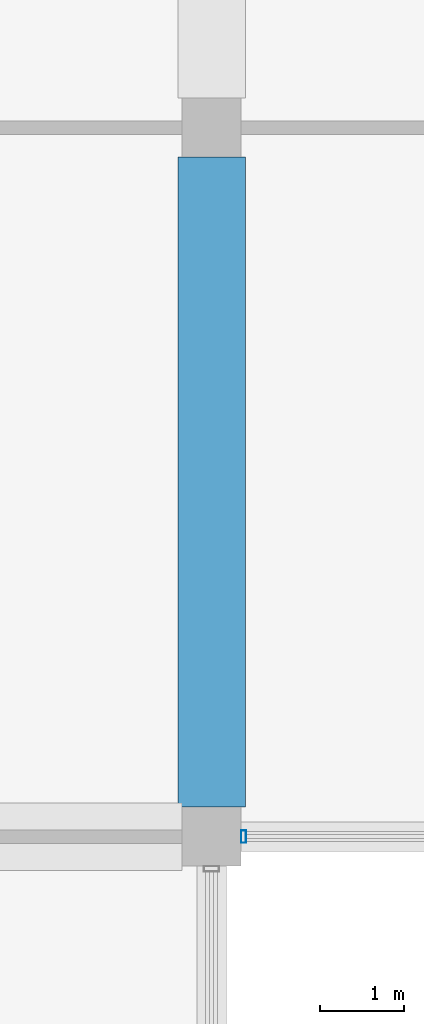
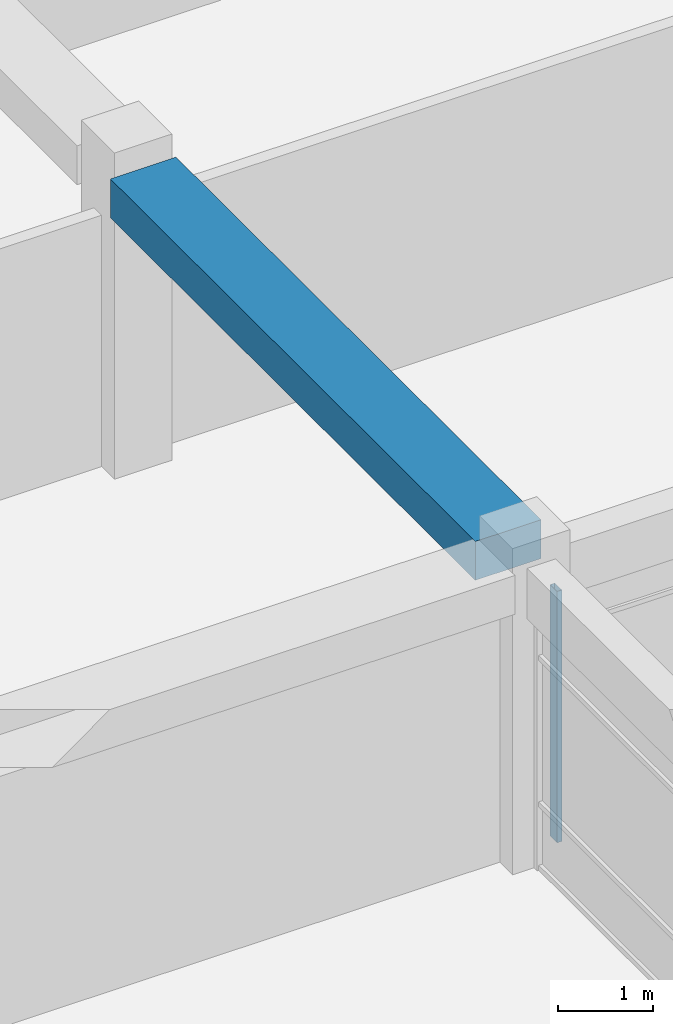
# One storey, part 11 of 53: 1 beam, 1 member, 1 element without a shape of its own.
"""IFC4 building model written with IfcOpenShell, lengths in metres."""

import ifcopenshell
import ifcopenshell.guid

model = None  # the IFC model being written
_history = None  # IfcOwnerHistory: only IFC2X3 demands one
_inside = {}  # id of a spatial element -> (the spatial element, [elements in it])
_under = {}  # id of a project, library or spatial element -> (it, [spatial elements below it])
_declared = {}  # id of a project -> (the project, [libraries it declares])
_typed = {}  # id of a type object -> (the type object, [elements of that type])
_made_of = {}  # id of a material, layer set ... -> (it, [elements and type objects made of it])


def new_model(schema):
    """Start an empty IFC model of exactly this schema.

    Asked for "IFC4X3", IfcOpenShell would pick the latest addendum, in which some entities
    have other attributes; the version numbers below select the first issue.
    IFC2X3 requires an IfcOwnerHistory on every rooted entity: one is made here for all.
    """
    global model, _history
    if schema == "IFC4X3":
        model = ifcopenshell.file(schema_version=(4, 3, 0, 0))
    else:
        model = ifcopenshell.file(schema=schema)
    _inside.clear()
    _under.clear()
    _declared.clear()
    _typed.clear()
    _made_of.clear()
    _history = None
    if model.schema == "IFC2X3":
        org = make("IfcOrganization", Name="unknown")
        user = make(
            "IfcPersonAndOrganization",
            ThePerson=make("IfcPerson", FamilyName="unknown"),
            TheOrganization=org,
        )
        app = make(
            "IfcApplication",
            ApplicationDeveloper=org,
            Version="unknown",
            ApplicationFullName="unknown",
            ApplicationIdentifier="unknown",
        )
        _history = make(
            "IfcOwnerHistory",
            OwningUser=user,
            OwningApplication=app,
            ChangeAction="ADDED",
            CreationDate=0,
        )
    return model


def make(cls, **values):
    """One entity of the class cls with the attributes given. An attribute that is None is left unset."""
    return model.create_entity(
        cls, **{name: value for name, value in values.items() if value is not None}
    )


def rooted(cls, **values):
    """An entity with a GlobalId (a new one), such as an element, a storey or a relation."""
    return make(cls, GlobalId=ifcopenshell.guid.new(), OwnerHistory=_history, **values)


def si_unit(unit_type, name, prefix=None):
    """IfcSIUnit, for example si_unit("LENGTHUNIT", "METRE", prefix="MILLI")."""
    return make("IfcSIUnit", UnitType=unit_type, Prefix=prefix, Name=name)


def assignment(units):
    """IfcUnitAssignment: the units of a project."""
    return None if units is None else make("IfcUnitAssignment", Units=units)


def point(xyz):
    """IfcCartesianPoint."""
    return None if xyz is None else make("IfcCartesianPoint", Coordinates=xyz)


def direction(xyz):
    """IfcDirection."""
    return None if xyz is None else make("IfcDirection", DirectionRatios=xyz)


def frame(location, z_axis=None, x_axis=None):
    """IfcAxis2Placement3D, a coordinate frame: its origin and axes. An axis left out is left unset."""
    return make(
        "IfcAxis2Placement3D",
        Location=point(location),
        Axis=direction(z_axis),
        RefDirection=direction(x_axis),
    )


def frame_2d(location, x_axis=None):
    """IfcAxis2Placement2D, a coordinate frame in the plane: its origin and x axis."""
    return make(
        "IfcAxis2Placement2D", Location=point(location), RefDirection=direction(x_axis)
    )


def origin():
    """The frame at (0, 0, 0) with its axes left unset."""
    return frame((0.0, 0.0, 0.0))


def origin_2d():
    """The frame at (0, 0) in the plane with its x axis left unset."""
    return frame_2d((0.0, 0.0))


def place(relative_to, where):
    """IfcLocalPlacement: puts the frame where relative to a parent placement (None: the world)."""
    return make(
        "IfcLocalPlacement", PlacementRelTo=relative_to, RelativePlacement=where
    )


def context(
    kind, dimensions, precision=None, world=None, true_north=None, identifier=None
):
    """IfcGeometricRepresentationContext, for example the 3D "Model" context."""
    return make(
        "IfcGeometricRepresentationContext",
        ContextIdentifier=identifier,
        ContextType=kind,
        CoordinateSpaceDimension=dimensions,
        Precision=precision,
        WorldCoordinateSystem=world,
        TrueNorth=true_north,
    )


def subcontext(parent, identifier, kind, view, scale=None):
    """IfcGeometricRepresentationSubContext, for example "Body" below "Model"."""
    return make(
        "IfcGeometricRepresentationSubContext",
        ContextIdentifier=identifier,
        ContextType=kind,
        ParentContext=parent,
        TargetScale=scale,
        TargetView=view,
    )


def project(units=None, contexts=None):
    """IfcProject with its units and contexts."""
    return rooted(
        "IfcProject",
        Name="project",
        RepresentationContexts=contexts,
        UnitsInContext=assignment(units),
    )


def spatial(cls, under=None, at=None, **own):
    """A site, building, storey or space (cls), placed at a placement, below another one or the project."""
    s = rooted(cls, ObjectPlacement=at, **own)
    if under is not None:
        _under.setdefault(under.id(), (under, []))[1].append(s)
    return s


def profile(cls, at=None, kind="AREA", **sizes):
    """A parametric profile (cls). Its sizes go by their IFC names, for example OverallWidth=200.0."""
    return make(cls, ProfileType=kind, Position=at, **sizes)


def rectangle(**sizes):
    """IfcRectangleProfileDef."""
    return profile("IfcRectangleProfileDef", **sizes)


def hollow_rectangle(**sizes):
    """IfcRectangleHollowProfileDef."""
    return profile("IfcRectangleHollowProfileDef", **sizes)


def extrude(swept, where, along, depth):
    """IfcExtrudedAreaSolid: the profile swept, set in the frame where, extruded along a direction by depth."""
    return make(
        "IfcExtrudedAreaSolid",
        SweptArea=swept,
        Position=where,
        ExtrudedDirection=direction(along),
        Depth=depth,
    )


def shape(context_of_items, identifier, shape_type, items):
    """IfcShapeRepresentation: the items that make up one representation, for example the "Body"."""
    return make(
        "IfcShapeRepresentation",
        ContextOfItems=context_of_items,
        RepresentationIdentifier=identifier,
        RepresentationType=shape_type,
        Items=items,
    )


def material(Name=None, Category=None):
    """IfcMaterial."""
    return make("IfcMaterial", Name=Name, Category=Category)


def material_profile(
    of_material, cross_section, Name=None, Category=None, Priority=None
):
    """IfcMaterialProfile: a cross section and its material."""
    return make(
        "IfcMaterialProfile",
        Name=Name,
        Material=of_material,
        Profile=cross_section,
        Priority=Priority,
        Category=Category,
    )


def profile_set(profiles, Name=None, composite=None):
    """IfcMaterialProfileSet."""
    return make(
        "IfcMaterialProfileSet",
        Name=Name,
        MaterialProfiles=profiles,
        CompositeProfile=composite,
    )


def made_of(thing, what):
    """Note that an element or type object is made of a material, layer set ...; save() writes the relation."""
    if what is not None:
        _made_of.setdefault(what.id(), (what, []))[1].append(thing)
    return thing


def type_object(cls, material=None, **own):
    """A type object (cls), such as IfcWallType, which elements share."""
    return made_of(rooted(cls, **own), material)


def element(
    cls,
    number,
    at=None,
    inside=None,
    cuts=None,
    type_object=None,
    material=None,
    context=None,
    identifier="Body",
    shape_type=None,
    held_by="IfcProductDefinitionShape",
    body=None,
    shapes=None,
    **own,
):
    """One element of the class cls, such as IfcWall. Its Tag is "e" and its number.

    at: its placement. inside: the storey or other place that contains it. cuts: it is an
    opening in that element (IfcRelVoidsElement). A single representation is given by context,
    identifier, shape_type and body (its items); several are given by shapes. held_by: the class
    of the entity that holds the representations. save() writes the other relations.
    """
    e = rooted(cls, Tag="e%d" % number, ObjectPlacement=at, **own)
    if body is not None:
        shapes = [shape(context, identifier, shape_type, body)]
    if shapes is not None:
        e.Representation = make(held_by, Representations=shapes)
    if inside is not None:
        _inside.setdefault(inside.id(), (inside, []))[1].append(e)
    if cuts is not None:
        rooted(
            "IfcRelVoidsElement", RelatingBuildingElement=cuts, RelatedOpeningElement=e
        )
    if type_object is not None:
        _typed.setdefault(type_object.id(), (type_object, []))[1].append(e)
    return made_of(e, material)


def aggregate(whole, parts):
    """IfcRelAggregates: a whole, such as a stair, and the parts it consists of."""
    return rooted("IfcRelAggregates", RelatingObject=whole, RelatedObjects=parts)


def save(model, path):
    """Write the relations noted so far, then the file.

    IfcRelAggregates (storeys below a building ...), IfcRelContainedInSpatialStructure (elements
    in a storey), IfcRelDefinesByType, IfcRelAssociatesMaterial and IfcRelDeclares: one each for
    every whole, place, type object, material and project.
    """
    for whole, parts in _under.values():
        aggregate(whole, parts)
    for where, things in _inside.values():
        rooted(
            "IfcRelContainedInSpatialStructure",
            RelatedElements=things,
            RelatingStructure=where,
        )
    for kind, things in _typed.values():
        rooted("IfcRelDefinesByType", RelatedObjects=things, RelatingType=kind)
    for what, things in _made_of.values():
        rooted("IfcRelAssociatesMaterial", RelatedObjects=things, RelatingMaterial=what)
    for by, libraries in _declared.values():
        rooted("IfcRelDeclares", RelatingContext=by, RelatedDefinitions=libraries)
    model.write(path)


model = new_model("IFC4")

# Units and contexts
model_context = context("Model", 3, precision=1e-05, world=origin(), true_north=direction((0.0, 1.0)))
body_context = subcontext(model_context, "Body", "Model", "MODEL_VIEW")
ifc_project = project(units=[si_unit("LENGTHUNIT", "METRE"), si_unit("AREAUNIT", "SQUARE_METRE"), si_unit("VOLUMEUNIT", "CUBIC_METRE"), si_unit("PLANEANGLEUNIT", "RADIAN"), si_unit("MASSUNIT", "GRAM", prefix="KILO"), si_unit("THERMODYNAMICTEMPERATUREUNIT", "KELVIN"), si_unit("POWERUNIT", "WATT")], contexts=[model_context])

# Site, building, storey
site_placement = place(None, origin())
site = spatial("IfcSite", under=ifc_project, at=site_placement, CompositionType="ELEMENT")
building_placement = place(site_placement, origin())
building = spatial("IfcBuilding", under=site, at=building_placement, Name="Srebrne Nadtorze General Hospital", CompositionType="ELEMENT")
storey_placement = place(building_placement, frame((0.0, 0.0, 18.0)))
storey = spatial("IfcBuildingStorey", under=building, at=storey_placement, Name="L04", CompositionType="ELEMENT", Elevation=18.0)

# Curtain wall, member
ifc_material_1 = material(Name="Anodised Aluminium", Category="aluminium")
curtain_wall_type = type_object("IfcCurtainWallType", Name="Unitised curtain wall 7100x3235", PredefinedType="NOTDEFINED", material=ifc_material_1)
curtain_wall_placement = place(storey_placement, origin())
curtain_wall = element("IfcCurtainWall", 1, at=curtain_wall_placement, inside=storey, type_object=curtain_wall_type, Name="Curtain wall CW-104", PredefinedType="NOTDEFINED")
ifc_material_2 = material(Name="Anodised Aluminium", Category="aluminium")
ifc_material_profile_1 = material_profile(ifc_material_2, hollow_rectangle(XDim=0.06005859375, YDim=0.14990234375, WallThickness=0.00390625, at=origin_2d()), Name="AL-MUL-60x150")
ifc_profile_set_1 = profile_set([ifc_material_profile_1], Name="Anodised Aluminium")
member_type = type_object("IfcMemberType", Name="Curtain mullion 60x150", PredefinedType="MULLION", material=ifc_profile_set_1)
member_placement = place(storey_placement, frame((117.3798828125, 25.199951171875, 0.0), z_axis=(0.0, 0.0, 1.0), x_axis=(1.0, 0.0, 0.0)))
member = element("IfcMember", 2, at=member_placement, type_object=member_type, Name="CW-104 mullion 1", PredefinedType="MULLION", context=body_context, shape_type="SweptSolid", body=[
    extrude(hollow_rectangle(XDim=0.06005859375, YDim=0.14990234375, WallThickness=0.00390625, at=origin_2d()), origin(), (0.0, 0.0, 1.0), 3.235107421875),
])
aggregate(curtain_wall, [member])

# Beam
ifc_material_3 = material(Name="Concrete C40/50", Category="concrete")
ifc_material_profile_2 = material_profile(ifc_material_3, rectangle(XDim=0.800048828125, YDim=0.5, at=origin_2d()), Name="RC-BM-800x500")
ifc_profile_set_2 = profile_set([ifc_material_profile_2], Name="Concrete C40/50")
beam_type = type_object("IfcBeamType", Name="Primary beam RC 800x500", PredefinedType="BEAM", material=ifc_profile_set_2)
beam_placement = place(storey_placement, frame((117.0, 25.550048828125, 3.635009765625), z_axis=(0.0, 1.0, 0.0), x_axis=(-1.0, 0.0, 0.0)))
element("IfcBeam", 3, at=beam_placement, inside=storey, type_object=beam_type, Name="Beam BM-L04-Y-0966", PredefinedType="BEAM", context=body_context, shape_type="SweptSolid", body=[
    extrude(rectangle(XDim=0.800048828125, YDim=0.5, at=origin_2d()), origin(), (0.0, 0.0, 1.0), 7.699951171875),
])

save(model, "model.ifc")
